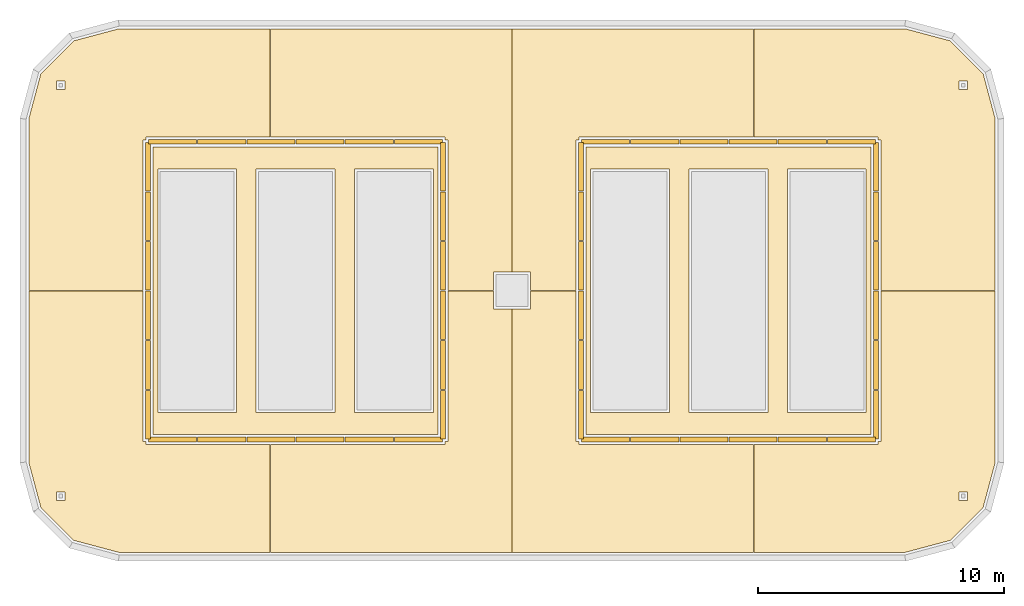
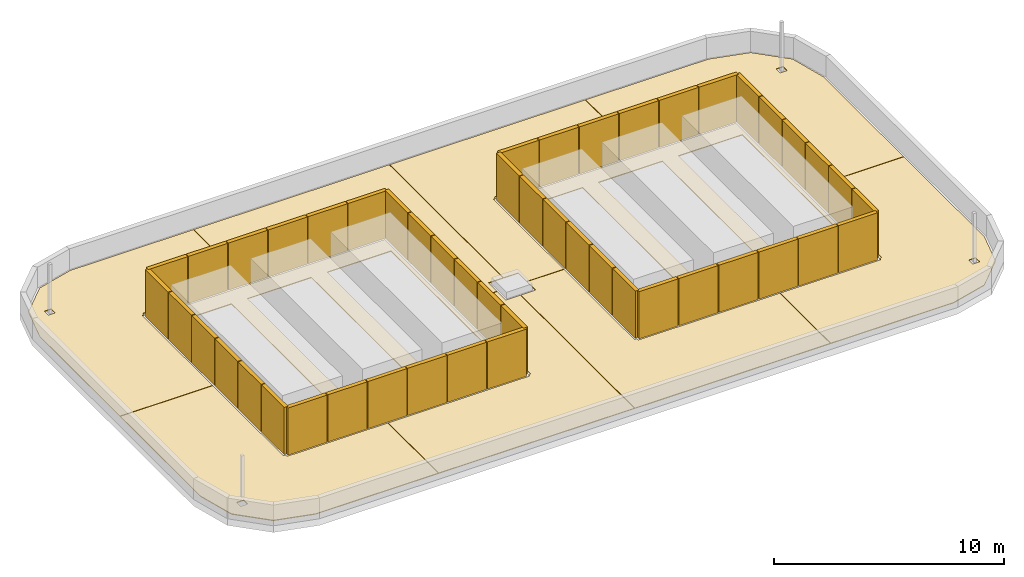
# One storey, part 2 of 2: 48 shading devices, 10 coverings.
"""IFC4 building model written with IfcOpenShell, lengths in metres."""

from ifc_helpers import new_model, si_unit, direction, frame, origin, origin_2d, place, context, subcontext, project, spatial, polyline, rectangle, outline, extrude, material, layer, layer_set, type_object, element, save


model = new_model("IFC4")

# Units and contexts
model_context = context("Model", 3, precision=1e-05, world=origin(), true_north=direction((0.0, 1.0)))
body_context = subcontext(model_context, "Body", "Model", "MODEL_VIEW")
ifc_project = project(units=[si_unit("LENGTHUNIT", "METRE"), si_unit("AREAUNIT", "SQUARE_METRE"), si_unit("VOLUMEUNIT", "CUBIC_METRE"), si_unit("PLANEANGLEUNIT", "RADIAN"), si_unit("MASSUNIT", "GRAM", prefix="KILO")], contexts=[model_context])

# Site, building, storey
site_placement = place(None, origin())
site = spatial("IfcSite", under=ifc_project, at=site_placement, CompositionType="ELEMENT")
building_placement = place(site_placement, origin())
building = spatial("IfcBuilding", under=site, at=building_placement, Name="Kajstack Hotel Tower", CompositionType="ELEMENT")
storey_placement = place(building_placement, frame((0.0, 0.0, 334.300048828125)))
storey = spatial("IfcBuildingStorey", under=building, at=storey_placement, Name="ROOF", CompositionType="ELEMENT", Elevation=334.300048828125)

# Coverings
ifc_material = material(Name="Zinc standing seam")
ifc_layer = layer(ifc_material, 0.0400390625)
ifc_layer_set = layer_set([ifc_layer], Name="ROOF-ZINC")
covering_type = type_object("IfcCoveringType", Name="ROOF-ZINC", PredefinedType="ROOFING", material=ifc_layer_set)
covering_1_placement = place(storey_placement, origin())
element("IfcCovering", 1, at=covering_1_placement, inside=storey, type_object=covering_type, Name="Zinc roofing ROOF-01-01", PredefinedType="ROOFING", context=body_context, shape_type="SweptSolid", body=[
    extrude(outline(polyline([(-15.4912109375, -11.139892578125), (-9.3349609375, -11.139892578125), (-9.3349609375, -6.75), (-14.3798828125, -6.75), (-14.3798828125, -6.630126953125), (-14.5, -6.630126953125), (-14.5, -0.510009765625), (-19.139892578125, -0.510009765625), (-19.139892578125, -7.4912109375), (-18.650390625, -9.31884765625), (-17.31884765625, -10.650390625), (-15.4912109375, -11.139892578125)]), holes=[polyline([(-18.018310546875, -9.028076171875), (-18.018310546875, -8.677978515625), (-17.66845703125, -8.677978515625), (-17.66845703125, -9.028076171875), (-18.018310546875, -9.028076171875)])]), origin(), (0.0, 0.0, 1.0), 0.0400390625),
])
covering_2_placement = place(storey_placement, origin())
element("IfcCovering", 2, at=covering_2_placement, inside=storey, type_object=covering_type, Name="Zinc roofing ROOF-01-02", PredefinedType="ROOFING", context=body_context, shape_type="SweptSolid", body=[
    extrude(outline(polyline([(-19.139892578125, 6.4912109375), (-19.139892578125, -0.489990234375), (-14.5, -0.489990234375), (-14.5, 5.630126953125), (-14.3798828125, 5.630126953125), (-14.3798828125, 5.75), (-9.3349609375, 5.75), (-9.3349609375, 10.139892578125), (-15.4912109375, 10.139892578125), (-17.31884765625, 9.650390625), (-18.650390625, 8.31884765625), (-19.139892578125, 6.4912109375)]), holes=[polyline([(-18.018310546875, 7.677978515625), (-18.018310546875, 8.028076171875), (-17.66845703125, 8.028076171875), (-17.66845703125, 7.677978515625), (-18.018310546875, 7.677978515625)])]), origin(), (0.0, 0.0, 1.0), 0.0400390625),
])
covering_3_placement = place(storey_placement, origin())
element("IfcCovering", 3, at=covering_3_placement, inside=storey, type_object=covering_type, Name="Zinc roofing ROOF-01-03", PredefinedType="ROOFING", context=body_context, shape_type="SweptSolid", body=[
    extrude(outline(polyline([(-0.25, -1.25), (-0.25, -0.510009765625), (-2.10009765625, -0.510009765625), (-2.10009765625, -6.630126953125), (-2.219970703125, -6.630126953125), (-2.219970703125, -6.75), (-9.31494140625, -6.75), (-9.31494140625, -11.139892578125), (0.489990234375, -11.139892578125), (0.489990234375, -1.25), (-0.25, -1.25)])), origin(), (0.0, 0.0, 1.0), 0.0400390625),
])
covering_4_placement = place(storey_placement, origin())
element("IfcCovering", 4, at=covering_4_placement, inside=storey, type_object=covering_type, Name="Zinc roofing ROOF-01-04", PredefinedType="ROOFING", context=body_context, shape_type="SweptSolid", body=[
    extrude(outline(polyline([(0.489990234375, 0.25), (0.489990234375, 10.139892578125), (-9.31494140625, 10.139892578125), (-9.31494140625, 5.75), (-2.219970703125, 5.75), (-2.219970703125, 5.630126953125), (-2.10009765625, 5.630126953125), (-2.10009765625, -0.489990234375), (-0.25, -0.489990234375), (-0.25, 0.25), (0.489990234375, 0.25)])), origin(), (0.0, 0.0, 1.0), 0.0400390625),
])
covering_5_placement = place(storey_placement, origin())
element("IfcCovering", 5, at=covering_5_placement, inside=storey, type_object=covering_type, Name="Zinc roofing ROOF-01-05", PredefinedType="ROOFING", context=body_context, shape_type="SweptSolid", body=[
    extrude(outline(polyline([(3.10009765625, -6.630126953125), (3.10009765625, -0.510009765625), (1.25, -0.510009765625), (1.25, -1.25), (0.510009765625, -1.25), (0.510009765625, -11.139892578125), (10.31494140625, -11.139892578125), (10.31494140625, -6.75), (3.219970703125, -6.75), (3.219970703125, -6.630126953125), (3.10009765625, -6.630126953125)])), origin(), (0.0, 0.0, 1.0), 0.0400390625),
])
covering_6_placement = place(storey_placement, origin())
element("IfcCovering", 6, at=covering_6_placement, inside=storey, type_object=covering_type, Name="Zinc roofing ROOF-01-06", PredefinedType="ROOFING", context=body_context, shape_type="SweptSolid", body=[
    extrude(outline(polyline([(10.31494140625, 5.75), (10.31494140625, 10.139892578125), (0.510009765625, 10.139892578125), (0.510009765625, 0.25), (1.25, 0.25), (1.25, -0.489990234375), (3.10009765625, -0.489990234375), (3.10009765625, 5.630126953125), (3.219970703125, 5.630126953125), (3.219970703125, 5.75), (10.31494140625, 5.75)])), origin(), (0.0, 0.0, 1.0), 0.0400390625),
])
covering_7_placement = place(storey_placement, origin())
element("IfcCovering", 7, at=covering_7_placement, inside=storey, type_object=covering_type, Name="Zinc roofing ROOF-01-07", PredefinedType="ROOFING", context=body_context, shape_type="SweptSolid", body=[
    extrude(outline(polyline([(20.139892578125, -7.4912109375), (20.139892578125, -0.510009765625), (15.5, -0.510009765625), (15.5, -6.630126953125), (15.3798828125, -6.630126953125), (15.3798828125, -6.75), (10.3349609375, -6.75), (10.3349609375, -11.139892578125), (16.4912109375, -11.139892578125), (18.31884765625, -10.650390625), (19.650390625, -9.31884765625), (20.139892578125, -7.4912109375)]), holes=[polyline([(18.66845703125, -9.028076171875), (18.66845703125, -8.677978515625), (19.018310546875, -8.677978515625), (19.018310546875, -9.028076171875), (18.66845703125, -9.028076171875)])]), origin(), (0.0, 0.0, 1.0), 0.0400390625),
])
covering_8_placement = place(storey_placement, origin())
element("IfcCovering", 8, at=covering_8_placement, inside=storey, type_object=covering_type, Name="Zinc roofing ROOF-01-08", PredefinedType="ROOFING", context=body_context, shape_type="SweptSolid", body=[
    extrude(outline(polyline([(16.4912109375, 10.139892578125), (10.3349609375, 10.139892578125), (10.3349609375, 5.75), (15.3798828125, 5.75), (15.3798828125, 5.630126953125), (15.5, 5.630126953125), (15.5, -0.489990234375), (20.139892578125, -0.489990234375), (20.139892578125, 6.4912109375), (19.650390625, 8.31884765625), (18.31884765625, 9.650390625), (16.4912109375, 10.139892578125)]), holes=[polyline([(18.66845703125, 7.677978515625), (18.66845703125, 8.028076171875), (19.018310546875, 8.028076171875), (19.018310546875, 7.677978515625), (18.66845703125, 7.677978515625)])]), origin(), (0.0, 0.0, 1.0), 0.0400390625),
])
covering_9_placement = place(storey_placement, origin())
element("IfcCovering", 9, at=covering_9_placement, inside=storey, type_object=covering_type, Name="Zinc roofing ROOF-01-09", PredefinedType="ROOFING", context=body_context, shape_type="SweptSolid", body=[
    extrude(outline(polyline([(15.090087890625, -6.340087890625), (15.090087890625, 5.340087890625), (3.510009765625, 5.340087890625), (3.510009765625, -6.340087890625), (15.090087890625, -6.340087890625)]), holes=[polyline([(11.699951171875, 4.449951171875), (14.89990234375, 4.449951171875), (14.89990234375, -5.449951171875), (11.699951171875, -5.449951171875), (11.699951171875, 4.449951171875)]), polyline([(7.699951171875, -5.449951171875), (7.699951171875, 4.449951171875), (10.89990234375, 4.449951171875), (10.89990234375, -5.449951171875), (7.699951171875, -5.449951171875)]), polyline([(3.699951171875, -5.449951171875), (3.699951171875, 4.449951171875), (6.89990234375, 4.449951171875), (6.89990234375, -5.449951171875), (3.699951171875, -5.449951171875)])]), origin(), (0.0, 0.0, 1.0), 0.0400390625),
])
covering_10_placement = place(storey_placement, origin())
element("IfcCovering", 10, at=covering_10_placement, inside=storey, type_object=covering_type, Name="Zinc roofing ROOF-01-10", PredefinedType="ROOFING", context=body_context, shape_type="SweptSolid", body=[
    extrude(outline(polyline([(-2.510009765625, -6.340087890625), (-2.510009765625, 5.340087890625), (-14.090087890625, 5.340087890625), (-14.090087890625, -6.340087890625), (-2.510009765625, -6.340087890625)]), holes=[polyline([(-5.89990234375, 4.449951171875), (-2.699951171875, 4.449951171875), (-2.699951171875, -5.449951171875), (-5.89990234375, -5.449951171875), (-5.89990234375, 4.449951171875)]), polyline([(-9.89990234375, -5.449951171875), (-9.89990234375, 4.449951171875), (-6.699951171875, 4.449951171875), (-6.699951171875, -5.449951171875), (-9.89990234375, -5.449951171875)]), polyline([(-13.89990234375, -5.449951171875), (-13.89990234375, 4.449951171875), (-10.699951171875, 4.449951171875), (-10.699951171875, -5.449951171875), (-13.89990234375, -5.449951171875)])]), origin(), (0.0, 0.0, 1.0), 0.0400390625),
])

# Shading devices
for number, where, z_axis, x_axis, name in (
    (11, (-2.300048828125, -5.541748046875, 0.0), (0.0, 0.0, 1.0), (0.0, 1.0, 0.0), "Plant screen louvre 01"),
    (12, (-2.300048828125, -3.52490234375, 0.0), (0.0, 0.0, 1.0), (0.0, 1.0, 0.0), "Plant screen louvre 02"),
    (13, (-2.300048828125, -1.50830078125, 0.0), (0.0, 0.0, 1.0), (0.0, 1.0, 0.0), "Plant screen louvre 03"),
    (14, (-2.300048828125, 0.50830078125, 0.0), (0.0, 0.0, 1.0), (0.0, 1.0, 0.0), "Plant screen louvre 04"),
    (15, (-2.300048828125, 2.52490234375, 0.0), (0.0, 0.0, 1.0), (0.0, 1.0, 0.0), "Plant screen louvre 05"),
    (16, (-2.300048828125, 4.541748046875, 0.0), (0.0, 0.0, 1.0), (0.0, 1.0, 0.0), "Plant screen louvre 06"),
):
    element("IfcShadingDevice", number, at=place(storey_placement, frame(where, z_axis=z_axis, x_axis=x_axis)), inside=storey, Name=name, ObjectType="LOUVRE", PredefinedType="USERDEFINED", context=body_context, shape_type="SweptSolid", body=[
        extrude(rectangle(XDim=1.976806640625, YDim=0.199951171875, at=origin_2d()), origin(), (0.0, 0.0, 1.0), 2.5),
    ])
for number, where, z_axis, x_axis, name in (
    (17, (-3.300048828125, 5.550048828125, 0.0), (0.0, 0.0, 1.0), (-1.0, 0.0, 0.0), "Plant screen louvre 07"),
    (18, (-5.300048828125, 5.550048828125, 0.0), (0.0, 0.0, 1.0), (-1.0, 0.0, 0.0), "Plant screen louvre 08"),
    (19, (-7.300048828125, 5.550048828125, 0.0), (0.0, 0.0, 1.0), (-1.0, 0.0, 0.0), "Plant screen louvre 09"),
    (20, (-9.300048828125, 5.550048828125, 0.0), (0.0, 0.0, 1.0), (-1.0, 0.0, 0.0), "Plant screen louvre 10"),
    (21, (-11.300048828125, 5.550048828125, 0.0), (0.0, 0.0, 1.0), (-1.0, 0.0, 0.0), "Plant screen louvre 11"),
    (22, (-13.300048828125, 5.550048828125, 0.0), (0.0, 0.0, 1.0), (-1.0, 0.0, 0.0), "Plant screen louvre 12"),
):
    element("IfcShadingDevice", number, at=place(storey_placement, frame(where, z_axis=z_axis, x_axis=x_axis)), inside=storey, Name=name, ObjectType="LOUVRE", PredefinedType="USERDEFINED", context=body_context, shape_type="SweptSolid", body=[
        extrude(rectangle(XDim=1.9599609375, YDim=0.199951171875, at=origin_2d()), origin(), (0.0, 0.0, 1.0), 2.5),
    ])
for number, where, z_axis, x_axis, name in (
    (23, (-14.300048828125, 4.541748046875, 0.0), (0.0, 0.0, 1.0), (0.0, -1.0, 0.0), "Plant screen louvre 13"),
    (24, (-14.300048828125, 2.52490234375, 0.0), (0.0, 0.0, 1.0), (0.0, -1.0, 0.0), "Plant screen louvre 14"),
    (25, (-14.300048828125, 0.50830078125, 0.0), (0.0, 0.0, 1.0), (0.0, -1.0, 0.0), "Plant screen louvre 15"),
    (26, (-14.300048828125, -1.50830078125, 0.0), (0.0, 0.0, 1.0), (0.0, -1.0, 0.0), "Plant screen louvre 16"),
    (27, (-14.300048828125, -3.52490234375, 0.0), (0.0, 0.0, 1.0), (0.0, -1.0, 0.0), "Plant screen louvre 17"),
    (28, (-14.300048828125, -5.541748046875, 0.0), (0.0, 0.0, 1.0), (0.0, -1.0, 0.0), "Plant screen louvre 18"),
):
    element("IfcShadingDevice", number, at=place(storey_placement, frame(where, z_axis=z_axis, x_axis=x_axis)), inside=storey, Name=name, ObjectType="LOUVRE", PredefinedType="USERDEFINED", context=body_context, shape_type="SweptSolid", body=[
        extrude(rectangle(XDim=1.976806640625, YDim=0.199951171875, at=origin_2d()), origin(), (0.0, 0.0, 1.0), 2.5),
    ])
for number, where, z_axis, x_axis, name in (
    (29, (-13.300048828125, -6.550048828125, 0.0), (0.0, 0.0, 1.0), (1.0, 0.0, 0.0), "Plant screen louvre 19"),
    (30, (-11.300048828125, -6.550048828125, 0.0), (0.0, 0.0, 1.0), (1.0, 0.0, 0.0), "Plant screen louvre 20"),
    (31, (-9.300048828125, -6.550048828125, 0.0), (0.0, 0.0, 1.0), (1.0, 0.0, 0.0), "Plant screen louvre 21"),
    (32, (-7.300048828125, -6.550048828125, 0.0), (0.0, 0.0, 1.0), (1.0, 0.0, 0.0), "Plant screen louvre 22"),
    (33, (-5.300048828125, -6.550048828125, 0.0), (0.0, 0.0, 1.0), (1.0, 0.0, 0.0), "Plant screen louvre 23"),
    (34, (-3.300048828125, -6.550048828125, 0.0), (0.0, 0.0, 1.0), (1.0, 0.0, 0.0), "Plant screen louvre 24"),
):
    element("IfcShadingDevice", number, at=place(storey_placement, frame(where, z_axis=z_axis, x_axis=x_axis)), inside=storey, Name=name, ObjectType="LOUVRE", PredefinedType="USERDEFINED", context=body_context, shape_type="SweptSolid", body=[
        extrude(rectangle(XDim=1.9599609375, YDim=0.199951171875, at=origin_2d()), origin(), (0.0, 0.0, 1.0), 2.5),
    ])
for number, where, z_axis, x_axis, name in (
    (35, (15.300048828125, -5.541748046875, 0.0), (0.0, 0.0, 1.0), (0.0, 1.0, 0.0), "Plant screen louvre 25"),
    (36, (15.300048828125, -3.52490234375, 0.0), (0.0, 0.0, 1.0), (0.0, 1.0, 0.0), "Plant screen louvre 26"),
    (37, (15.300048828125, -1.50830078125, 0.0), (0.0, 0.0, 1.0), (0.0, 1.0, 0.0), "Plant screen louvre 27"),
    (38, (15.300048828125, 0.50830078125, 0.0), (0.0, 0.0, 1.0), (0.0, 1.0, 0.0), "Plant screen louvre 28"),
    (39, (15.300048828125, 2.52490234375, 0.0), (0.0, 0.0, 1.0), (0.0, 1.0, 0.0), "Plant screen louvre 29"),
    (40, (15.300048828125, 4.541748046875, 0.0), (0.0, 0.0, 1.0), (0.0, 1.0, 0.0), "Plant screen louvre 30"),
):
    element("IfcShadingDevice", number, at=place(storey_placement, frame(where, z_axis=z_axis, x_axis=x_axis)), inside=storey, Name=name, ObjectType="LOUVRE", PredefinedType="USERDEFINED", context=body_context, shape_type="SweptSolid", body=[
        extrude(rectangle(XDim=1.976806640625, YDim=0.199951171875, at=origin_2d()), origin(), (0.0, 0.0, 1.0), 2.5),
    ])
for number, where, z_axis, x_axis, name in (
    (41, (14.300048828125, 5.550048828125, 0.0), (0.0, 0.0, 1.0), (-1.0, 0.0, 0.0), "Plant screen louvre 31"),
    (42, (12.300048828125, 5.550048828125, 0.0), (0.0, 0.0, 1.0), (-1.0, 0.0, 0.0), "Plant screen louvre 32"),
    (43, (10.300048828125, 5.550048828125, 0.0), (0.0, 0.0, 1.0), (-1.0, 0.0, 0.0), "Plant screen louvre 33"),
    (44, (8.300048828125, 5.550048828125, 0.0), (0.0, 0.0, 1.0), (-1.0, 0.0, 0.0), "Plant screen louvre 34"),
    (45, (6.300048828125, 5.550048828125, 0.0), (0.0, 0.0, 1.0), (-1.0, 0.0, 0.0), "Plant screen louvre 35"),
    (46, (4.300048828125, 5.550048828125, 0.0), (0.0, 0.0, 1.0), (-1.0, 0.0, 0.0), "Plant screen louvre 36"),
):
    element("IfcShadingDevice", number, at=place(storey_placement, frame(where, z_axis=z_axis, x_axis=x_axis)), inside=storey, Name=name, ObjectType="LOUVRE", PredefinedType="USERDEFINED", context=body_context, shape_type="SweptSolid", body=[
        extrude(rectangle(XDim=1.9599609375, YDim=0.199951171875, at=origin_2d()), origin(), (0.0, 0.0, 1.0), 2.5),
    ])
for number, where, z_axis, x_axis, name in (
    (47, (3.300048828125, 4.541748046875, 0.0), (0.0, 0.0, 1.0), (0.0, -1.0, 0.0), "Plant screen louvre 37"),
    (48, (3.300048828125, 2.52490234375, 0.0), (0.0, 0.0, 1.0), (0.0, -1.0, 0.0), "Plant screen louvre 38"),
    (49, (3.300048828125, 0.50830078125, 0.0), (0.0, 0.0, 1.0), (0.0, -1.0, 0.0), "Plant screen louvre 39"),
    (50, (3.300048828125, -1.50830078125, 0.0), (0.0, 0.0, 1.0), (0.0, -1.0, 0.0), "Plant screen louvre 40"),
    (51, (3.300048828125, -3.52490234375, 0.0), (0.0, 0.0, 1.0), (0.0, -1.0, 0.0), "Plant screen louvre 41"),
    (52, (3.300048828125, -5.541748046875, 0.0), (0.0, 0.0, 1.0), (0.0, -1.0, 0.0), "Plant screen louvre 42"),
):
    element("IfcShadingDevice", number, at=place(storey_placement, frame(where, z_axis=z_axis, x_axis=x_axis)), inside=storey, Name=name, ObjectType="LOUVRE", PredefinedType="USERDEFINED", context=body_context, shape_type="SweptSolid", body=[
        extrude(rectangle(XDim=1.976806640625, YDim=0.199951171875, at=origin_2d()), origin(), (0.0, 0.0, 1.0), 2.5),
    ])
for number, where, z_axis, x_axis, name in (
    (53, (4.300048828125, -6.550048828125, 0.0), (0.0, 0.0, 1.0), (1.0, 0.0, 0.0), "Plant screen louvre 43"),
    (54, (6.300048828125, -6.550048828125, 0.0), (0.0, 0.0, 1.0), (1.0, 0.0, 0.0), "Plant screen louvre 44"),
    (55, (8.300048828125, -6.550048828125, 0.0), (0.0, 0.0, 1.0), (1.0, 0.0, 0.0), "Plant screen louvre 45"),
    (56, (10.300048828125, -6.550048828125, 0.0), (0.0, 0.0, 1.0), (1.0, 0.0, 0.0), "Plant screen louvre 46"),
    (57, (12.300048828125, -6.550048828125, 0.0), (0.0, 0.0, 1.0), (1.0, 0.0, 0.0), "Plant screen louvre 47"),
    (58, (14.300048828125, -6.550048828125, 0.0), (0.0, 0.0, 1.0), (1.0, 0.0, 0.0), "Plant screen louvre 48"),
):
    element("IfcShadingDevice", number, at=place(storey_placement, frame(where, z_axis=z_axis, x_axis=x_axis)), inside=storey, Name=name, ObjectType="LOUVRE", PredefinedType="USERDEFINED", context=body_context, shape_type="SweptSolid", body=[
        extrude(rectangle(XDim=1.9599609375, YDim=0.199951171875, at=origin_2d()), origin(), (0.0, 0.0, 1.0), 2.5),
    ])

save(model, "model.ifc")
